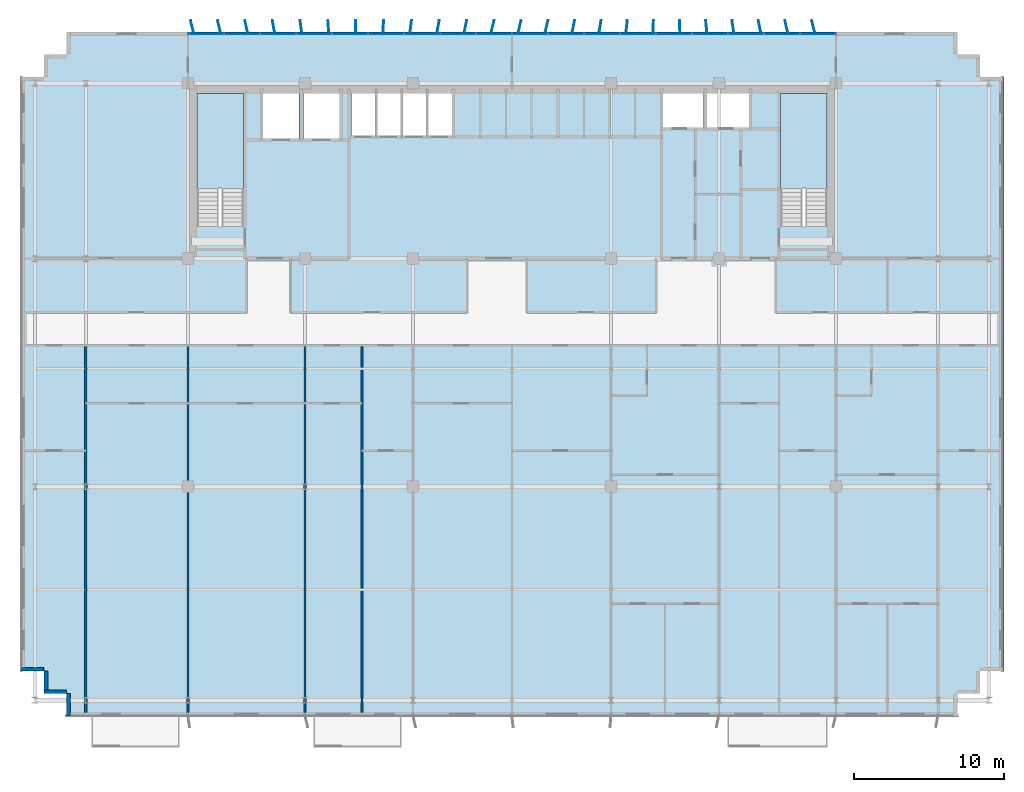
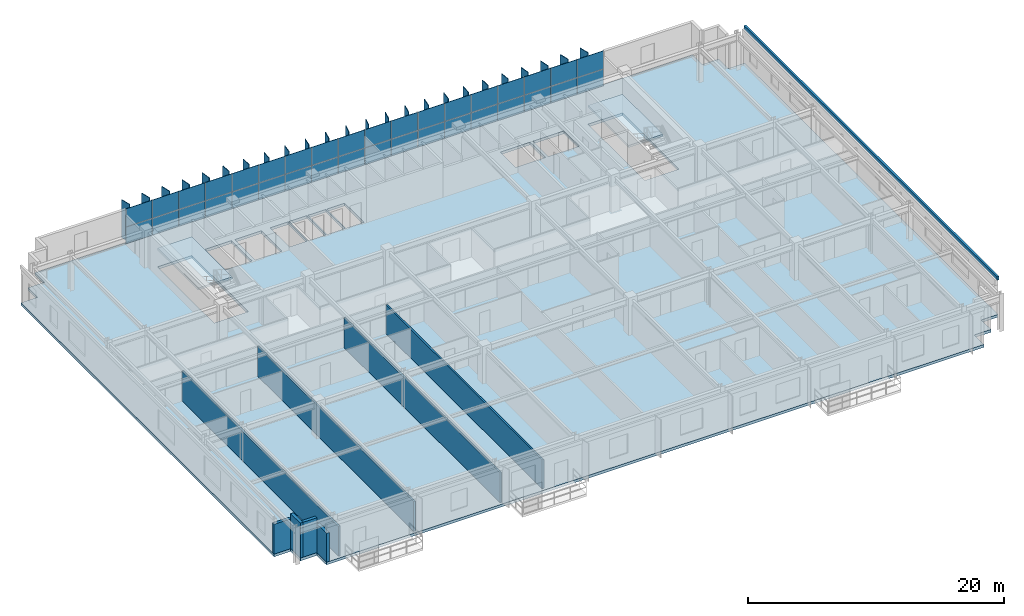
# One storey, part 13 of 21: 61 plates, 8 walls, 3 slabs, 3 elements without a shape of their own.
"""IFC4 building model written with IfcOpenShell, lengths in metres."""

import ifcopenshell
import ifcopenshell.guid

model = None  # the IFC model being written
_history = None  # IfcOwnerHistory: only IFC2X3 demands one
_inside = {}  # id of a spatial element -> (the spatial element, [elements in it])
_under = {}  # id of a project, library or spatial element -> (it, [spatial elements below it])
_declared = {}  # id of a project -> (the project, [libraries it declares])
_typed = {}  # id of a type object -> (the type object, [elements of that type])
_made_of = {}  # id of a material, layer set ... -> (it, [elements and type objects made of it])


def new_model(schema):
    """Start an empty IFC model of exactly this schema.

    Asked for "IFC4X3", IfcOpenShell would pick the latest addendum, in which some entities
    have other attributes; the version numbers below select the first issue.
    IFC2X3 requires an IfcOwnerHistory on every rooted entity: one is made here for all.
    """
    global model, _history
    if schema == "IFC4X3":
        model = ifcopenshell.file(schema_version=(4, 3, 0, 0))
    else:
        model = ifcopenshell.file(schema=schema)
    _inside.clear()
    _under.clear()
    _declared.clear()
    _typed.clear()
    _made_of.clear()
    _history = None
    if model.schema == "IFC2X3":
        org = make("IfcOrganization", Name="unknown")
        user = make(
            "IfcPersonAndOrganization",
            ThePerson=make("IfcPerson", FamilyName="unknown"),
            TheOrganization=org,
        )
        app = make(
            "IfcApplication",
            ApplicationDeveloper=org,
            Version="unknown",
            ApplicationFullName="unknown",
            ApplicationIdentifier="unknown",
        )
        _history = make(
            "IfcOwnerHistory",
            OwningUser=user,
            OwningApplication=app,
            ChangeAction="ADDED",
            CreationDate=0,
        )
    return model


def make(cls, **values):
    """One entity of the class cls with the attributes given. An attribute that is None is left unset."""
    return model.create_entity(
        cls, **{name: value for name, value in values.items() if value is not None}
    )


def rooted(cls, **values):
    """An entity with a GlobalId (a new one), such as an element, a storey or a relation."""
    return make(cls, GlobalId=ifcopenshell.guid.new(), OwnerHistory=_history, **values)


def si_unit(unit_type, name, prefix=None):
    """IfcSIUnit, for example si_unit("LENGTHUNIT", "METRE", prefix="MILLI")."""
    return make("IfcSIUnit", UnitType=unit_type, Prefix=prefix, Name=name)


def assignment(units):
    """IfcUnitAssignment: the units of a project."""
    return None if units is None else make("IfcUnitAssignment", Units=units)


def point(xyz):
    """IfcCartesianPoint."""
    return None if xyz is None else make("IfcCartesianPoint", Coordinates=xyz)


def direction(xyz):
    """IfcDirection."""
    return None if xyz is None else make("IfcDirection", DirectionRatios=xyz)


def frame(location, z_axis=None, x_axis=None):
    """IfcAxis2Placement3D, a coordinate frame: its origin and axes. An axis left out is left unset."""
    return make(
        "IfcAxis2Placement3D",
        Location=point(location),
        Axis=direction(z_axis),
        RefDirection=direction(x_axis),
    )


def frame_2d(location, x_axis=None):
    """IfcAxis2Placement2D, a coordinate frame in the plane: its origin and x axis."""
    return make(
        "IfcAxis2Placement2D", Location=point(location), RefDirection=direction(x_axis)
    )


def origin():
    """The frame at (0, 0, 0) with its axes left unset."""
    return frame((0.0, 0.0, 0.0))


def origin_2d():
    """The frame at (0, 0) in the plane with its x axis left unset."""
    return frame_2d((0.0, 0.0))


def place(relative_to, where):
    """IfcLocalPlacement: puts the frame where relative to a parent placement (None: the world)."""
    return make(
        "IfcLocalPlacement", PlacementRelTo=relative_to, RelativePlacement=where
    )


def context(
    kind, dimensions, precision=None, world=None, true_north=None, identifier=None
):
    """IfcGeometricRepresentationContext, for example the 3D "Model" context."""
    return make(
        "IfcGeometricRepresentationContext",
        ContextIdentifier=identifier,
        ContextType=kind,
        CoordinateSpaceDimension=dimensions,
        Precision=precision,
        WorldCoordinateSystem=world,
        TrueNorth=true_north,
    )


def subcontext(parent, identifier, kind, view, scale=None):
    """IfcGeometricRepresentationSubContext, for example "Body" below "Model"."""
    return make(
        "IfcGeometricRepresentationSubContext",
        ContextIdentifier=identifier,
        ContextType=kind,
        ParentContext=parent,
        TargetScale=scale,
        TargetView=view,
    )


def project(units=None, contexts=None):
    """IfcProject with its units and contexts."""
    return rooted(
        "IfcProject",
        Name="project",
        RepresentationContexts=contexts,
        UnitsInContext=assignment(units),
    )


def spatial(cls, under=None, at=None, **own):
    """A site, building, storey or space (cls), placed at a placement, below another one or the project."""
    s = rooted(cls, ObjectPlacement=at, **own)
    if under is not None:
        _under.setdefault(under.id(), (under, []))[1].append(s)
    return s


def polyline(points):
    """IfcPolyline through the points."""
    return make("IfcPolyline", Points=[point(p) for p in points])


def profile(cls, at=None, kind="AREA", **sizes):
    """A parametric profile (cls). Its sizes go by their IFC names, for example OverallWidth=200.0."""
    return make(cls, ProfileType=kind, Position=at, **sizes)


def rectangle(**sizes):
    """IfcRectangleProfileDef."""
    return profile("IfcRectangleProfileDef", **sizes)


def outline(outer, holes=None, kind="AREA"):
    """IfcArbitraryClosedProfileDef: a profile drawn as a closed curve; with holes, ...WithVoids."""
    if holes is None:
        return make("IfcArbitraryClosedProfileDef", ProfileType=kind, OuterCurve=outer)
    return make(
        "IfcArbitraryProfileDefWithVoids",
        ProfileType=kind,
        OuterCurve=outer,
        InnerCurves=holes,
    )


def extrude(swept, where, along, depth):
    """IfcExtrudedAreaSolid: the profile swept, set in the frame where, extruded along a direction by depth."""
    return make(
        "IfcExtrudedAreaSolid",
        SweptArea=swept,
        Position=where,
        ExtrudedDirection=direction(along),
        Depth=depth,
    )


def shape(context_of_items, identifier, shape_type, items):
    """IfcShapeRepresentation: the items that make up one representation, for example the "Body"."""
    return make(
        "IfcShapeRepresentation",
        ContextOfItems=context_of_items,
        RepresentationIdentifier=identifier,
        RepresentationType=shape_type,
        Items=items,
    )


def source(mapping_origin, context_of_items, identifier, shape_type, items):
    """IfcRepresentationMap: a shape defined once, which mapped items show again and again."""
    return make(
        "IfcRepresentationMap",
        MappingOrigin=mapping_origin,
        MappedRepresentation=shape(context_of_items, identifier, shape_type, items),
    )


def transform(
    local_origin,
    x_axis=None,
    y_axis=None,
    z_axis=None,
    scale=None,
    scale2=None,
    scale3=None,
    uniform=True,
):
    """IfcCartesianTransformationOperator3D, or its non-uniform kind. x_axis, y_axis, z_axis: its Axis1, 2, 3."""
    if uniform:
        return make(
            "IfcCartesianTransformationOperator3D",
            Axis1=direction(x_axis),
            Axis2=direction(y_axis),
            LocalOrigin=point(local_origin),
            Scale=scale,
            Axis3=direction(z_axis),
        )
    return make(
        "IfcCartesianTransformationOperator3DnonUniform",
        Axis1=direction(x_axis),
        Axis2=direction(y_axis),
        LocalOrigin=point(local_origin),
        Scale=scale,
        Axis3=direction(z_axis),
        Scale2=scale2,
        Scale3=scale3,
    )


def mapped(mapping_source, mapping_target):
    """IfcMappedItem: shows the shape of a source again, moved by a transform."""
    return make(
        "IfcMappedItem", MappingSource=mapping_source, MappingTarget=mapping_target
    )


def material(Name=None, Category=None):
    """IfcMaterial."""
    return make("IfcMaterial", Name=Name, Category=Category)


def layer(
    of_material, thickness, ventilated=None, Name=None, Category=None, Priority=None
):
    """IfcMaterialLayer: one layer of a wall or slab, of a material (None: an air gap)."""
    return make(
        "IfcMaterialLayer",
        Material=of_material,
        LayerThickness=thickness,
        IsVentilated=ventilated,
        Name=Name,
        Category=Category,
        Priority=Priority,
    )


def layer_set(layers, Name=None):
    """IfcMaterialLayerSet."""
    return make("IfcMaterialLayerSet", MaterialLayers=layers, LayerSetName=Name)


def made_of(thing, what):
    """Note that an element or type object is made of a material, layer set ...; save() writes the relation."""
    if what is not None:
        _made_of.setdefault(what.id(), (what, []))[1].append(thing)
    return thing


def type_object(cls, material=None, **own):
    """A type object (cls), such as IfcWallType, which elements share."""
    return made_of(rooted(cls, **own), material)


def element(
    cls,
    number,
    at=None,
    inside=None,
    cuts=None,
    type_object=None,
    material=None,
    context=None,
    identifier="Body",
    shape_type=None,
    held_by="IfcProductDefinitionShape",
    body=None,
    shapes=None,
    **own,
):
    """One element of the class cls, such as IfcWall. Its Tag is "e" and its number.

    at: its placement. inside: the storey or other place that contains it. cuts: it is an
    opening in that element (IfcRelVoidsElement). A single representation is given by context,
    identifier, shape_type and body (its items); several are given by shapes. held_by: the class
    of the entity that holds the representations. save() writes the other relations.
    """
    e = rooted(cls, Tag="e%d" % number, ObjectPlacement=at, **own)
    if body is not None:
        shapes = [shape(context, identifier, shape_type, body)]
    if shapes is not None:
        e.Representation = make(held_by, Representations=shapes)
    if inside is not None:
        _inside.setdefault(inside.id(), (inside, []))[1].append(e)
    if cuts is not None:
        rooted(
            "IfcRelVoidsElement", RelatingBuildingElement=cuts, RelatedOpeningElement=e
        )
    if type_object is not None:
        _typed.setdefault(type_object.id(), (type_object, []))[1].append(e)
    return made_of(e, material)


def aggregate(whole, parts):
    """IfcRelAggregates: a whole, such as a stair, and the parts it consists of."""
    return rooted("IfcRelAggregates", RelatingObject=whole, RelatedObjects=parts)


def save(model, path):
    """Write the relations noted so far, then the file.

    IfcRelAggregates (storeys below a building ...), IfcRelContainedInSpatialStructure (elements
    in a storey), IfcRelDefinesByType, IfcRelAssociatesMaterial and IfcRelDeclares: one each for
    every whole, place, type object, material and project.
    """
    for whole, parts in _under.values():
        aggregate(whole, parts)
    for where, things in _inside.values():
        rooted(
            "IfcRelContainedInSpatialStructure",
            RelatedElements=things,
            RelatingStructure=where,
        )
    for kind, things in _typed.values():
        rooted("IfcRelDefinesByType", RelatedObjects=things, RelatingType=kind)
    for what, things in _made_of.values():
        rooted("IfcRelAssociatesMaterial", RelatedObjects=things, RelatingMaterial=what)
    for by, libraries in _declared.values():
        rooted("IfcRelDeclares", RelatingContext=by, RelatedDefinitions=libraries)
    model.write(path)


model = new_model("IFC4")

# Units and contexts
model_context = context("Model", 3, precision=1e-05, world=origin(), true_north=direction((0.0, 1.0)))
body_context = subcontext(model_context, "Body", "Model", "MODEL_VIEW")
ifc_project = project(units=[si_unit("LENGTHUNIT", "METRE"), si_unit("AREAUNIT", "SQUARE_METRE"), si_unit("VOLUMEUNIT", "CUBIC_METRE"), si_unit("PLANEANGLEUNIT", "RADIAN"), si_unit("MASSUNIT", "GRAM", prefix="KILO")], contexts=[model_context])

# Site, building, storey
site_placement = place(None, origin())
site = spatial("IfcSite", under=ifc_project, at=site_placement, CompositionType="ELEMENT")
building_placement = place(site_placement, origin())
building = spatial("IfcBuilding", under=site, at=building_placement, Name="Trelvane Seafront Commons", CompositionType="ELEMENT")
storey_placement = place(building_placement, frame((0.0, 0.0, 103.300048828125)))
storey = spatial("IfcBuildingStorey", under=building, at=storey_placement, Name="L26", CompositionType="ELEMENT", Elevation=103.300048828125)

# Stair, slab
ifc_material_1 = material(Name="Concrete C40/50", Category="concrete")
stair_type_1 = type_object("IfcStairType", Name="ARCH-STR-ST-1-R20-180", PredefinedType="HALF_TURN_STAIR", material=ifc_material_1)
stair_1_placement = place(storey_placement, origin())
stair_1 = element("IfcStair", 1, at=stair_1_placement, inside=storey, type_object=stair_type_1, Name="L26 West Protected Firefighting Exit Stair ST-1", PredefinedType="HALF_TURN_STAIR")
ifc_layer_1 = layer(ifc_material_1, 0.199951171875, Name="ARCH-LND-200")
ifc_layer_set_1 = layer_set([ifc_layer_1], Name="Concrete C40/50")
slab_type_1 = type_object("IfcSlabType", Name="ARCH-LND-200", PredefinedType="LANDING", material=ifc_layer_set_1)
slab_1_placement = place(storey_placement, frame((0.0, 0.0, 1.599853515625)))
slab_1 = element("IfcSlab", 2, at=slab_1_placement, type_object=slab_type_1, Name="ST-1 landing 1", PredefinedType="LANDING", context=body_context, shape_type="SweptSolid", body=[
    extrude(outline(polyline([(19.300048828125, 38.070068359375), (19.300048828125, 44.39990234375), (16.199951171875, 44.39990234375), (16.199951171875, 38.070068359375), (19.300048828125, 38.070068359375)])), origin(), (0.0, 0.0, 1.0), 0.2001953125),
])
aggregate(stair_1, [slab_1])

stair_type_2 = type_object("IfcStairType", Name="ARCH-STR-ST-2-R20-180", PredefinedType="HALF_TURN_STAIR", material=ifc_material_1)
stair_2_placement = place(storey_placement, origin())
stair_2 = element("IfcStair", 3, at=stair_2_placement, inside=storey, type_object=stair_type_2, Name="L26 East Protected Firefighting Exit Stair ST-2", PredefinedType="HALF_TURN_STAIR")
slab_2_placement = place(storey_placement, frame((0.0, 0.0, 1.599853515625)))
slab_2 = element("IfcSlab", 4, at=slab_2_placement, type_object=slab_type_1, Name="ST-2 landing 1", PredefinedType="LANDING", context=body_context, shape_type="SweptSolid", body=[
    extrude(outline(polyline([(58.199951171875, 38.070068359375), (58.199951171875, 44.39990234375), (55.10009765625, 44.39990234375), (55.10009765625, 38.070068359375), (58.199951171875, 38.070068359375)])), origin(), (0.0, 0.0, 1.0), 0.2001953125),
])
aggregate(stair_2, [slab_2])

# Slab
ifc_material_2 = material(Name="Concrete C50/60", Category="concrete")
ifc_layer_2 = layer(ifc_material_2, 0.260009765625, Name="STR-SLB-Z1-260")
ifc_layer_set_2 = layer_set([ifc_layer_2], Name="Concrete C50/60")
slab_type_2 = type_object("IfcSlabType", Name="STR-SLB-Z1-260", PredefinedType="FLOOR", material=ifc_layer_set_2)
slab_3_placement = place(storey_placement, frame((0.0, 0.0, -0.260009765625)))
element("IfcSlab", 5, at=slab_3_placement, inside=storey, type_object=slab_type_2, Name="L26 Structural Floor Slab", PredefinedType="FLOOR", context=body_context, shape_type="SweptSolid", body=[
    extrude(outline(polyline([(7.5, 2.89990234375), (66.89990234375, 2.89990234375), (66.89990234375, 4.39990234375), (68.39990234375, 4.39990234375), (68.39990234375, 5.89990234375), (69.89990234375, 5.89990234375), (69.89990234375, 45.5), (68.39990234375, 45.5), (68.39990234375, 47.0), (66.89990234375, 47.0), (66.89990234375, 48.5), (7.5, 48.5), (7.5, 47.0), (6.0, 47.0), (6.0, 45.5), (4.5, 45.5), (4.5, 5.89990234375), (6.0, 5.89990234375), (6.0, 4.39990234375), (7.5, 4.39990234375), (7.5, 2.89990234375)]), holes=[polyline([(19.300048828125, 35.550048828125), (16.199951171875, 35.550048828125), (16.199951171875, 44.39990234375), (19.300048828125, 44.39990234375), (19.300048828125, 35.550048828125)]), polyline([(58.199951171875, 35.550048828125), (55.10009765625, 35.550048828125), (55.10009765625, 44.39990234375), (58.199951171875, 44.39990234375), (58.199951171875, 35.550048828125)]), polyline([(23.0, 41.39990234375), (20.60009765625, 41.39990234375), (20.60009765625, 44.60009765625), (23.0, 44.60009765625), (23.0, 41.39990234375)]), polyline([(23.300048828125, 41.39990234375), (23.300048828125, 44.60009765625), (25.699951171875, 44.60009765625), (25.699951171875, 41.39990234375), (23.300048828125, 41.39990234375)]), polyline([(26.5, 41.60009765625), (26.5, 44.60009765625), (28.1201171875, 44.60009765625), (28.1201171875, 41.60009765625), (26.5, 41.60009765625)]), polyline([(29.820068359375, 41.60009765625), (28.199951171875, 41.60009765625), (28.199951171875, 44.60009765625), (29.820068359375, 44.60009765625), (29.820068359375, 41.60009765625)]), polyline([(31.52001953125, 41.60009765625), (29.89990234375, 41.60009765625), (29.89990234375, 44.60009765625), (31.52001953125, 44.60009765625), (31.52001953125, 41.60009765625)]), polyline([(33.219970703125, 41.60009765625), (31.60009765625, 41.60009765625), (31.60009765625, 44.60009765625), (33.219970703125, 44.60009765625), (33.219970703125, 41.60009765625)]), polyline([(47.25, 42.14990234375), (47.25, 44.550048828125), (49.949951171875, 44.550048828125), (49.949951171875, 42.14990234375), (47.25, 42.14990234375)]), polyline([(50.199951171875, 42.14990234375), (50.199951171875, 44.550048828125), (53.0, 44.550048828125), (53.0, 42.14990234375), (50.199951171875, 42.14990234375)])]), origin(), (0.0, 0.0, 1.0), 0.260009765625),
])

# Plates
ifc_material_3 = material(Name="Anodised pale-silver aluminium", Category="aluminium")
ifc_layer_3 = layer(ifc_material_3, 0.06005859375, Name="ARCH-PLATE-FIN900")
ifc_layer_set_3 = layer_set([ifc_layer_3], Name="Anodised pale-silver aluminium")
plate_type_1 = type_object("IfcPlateType", Name="ARCH-PLATE-FIN900", PredefinedType="USERDEFINED", material=ifc_layer_set_3)
shared_shape_1 = source(origin(), body_context, "Body", "SweptSolid", [
    extrude(rectangle(XDim=0.89990234375, YDim=0.06005859375, at=origin_2d()), origin(), (0.0, 0.0, 1.0), 3.639892578125),
])
for number, where, z_axis, x_axis, name in (
    (6, (15.8916015625, 48.836669921875, -0.02001953125), (0.0, 0.0, 1.0), (-0.240888732524, 0.970552738672, 0.0), "FIN-L26-00650"),
    (7, (17.69287109375, 48.8369140625, -0.02001953125), (0.0, 0.0, 1.0), (-0.238114783007, 0.971237020564, 0.0), "FIN-L26-00651"),
    (8, (19.501953125, 48.839111328125, -0.02001953125), (0.0, 0.0, 1.0), (-0.217882629323, 0.975974979105, 0.0), "FIN-L26-00652"),
    (9, (21.318359375, 48.842529296875, -0.02001953125), (0.0, 0.0, 1.0), (-0.181564486622, 0.983379040451, 0.0), "FIN-L26-00653"),
    (10, (23.140869140625, 48.84619140625, -0.02001953125), (0.0, 0.0, 1.0), (-0.131552247975, 0.991309238357, 0.0), "FIN-L26-00654"),
    (11, (24.9677734375, 48.848876953125, -0.02001953125), (0.0, 0.0, 1.0), (-0.071554892679, 0.997436663319, 0.0), "FIN-L26-00655"),
    (12, (26.79736328125, 48.85009765625, -0.02001953125), (0.0, 0.0, 1.0), (-0.005888706862, 0.999982661415, 0.0), "FIN-L26-00656"),
    (13, (28.627197265625, 48.84912109375, -0.02001953125), (0.0, 0.0, 1.0), (0.060219291405, 0.99818517167, 0.0), "FIN-L26-00657"),
    (14, (30.45458984375, 48.8466796875, -0.02001953125), (0.0, 0.0, 1.0), (0.121559252213, 0.992584176884, 0.0), "FIN-L26-00658"),
    (15, (32.278076171875, 48.843017578125, -0.02001953125), (0.0, 0.0, 1.0), (0.173670522201, 0.984803812807, 0.0), "FIN-L26-00659"),
    (16, (34.095703125, 48.839599609375, -0.02001953125), (0.0, 0.0, 1.0), (0.212563118989, 0.977147338146, 0.0), "FIN-L26-00660"),
    (17, (35.906005859375, 48.83740234375, -0.02001953125), (0.0, 0.0, 1.0), (0.235784994167, 0.971805246192, 0.0), "FIN-L26-00661"),
    (18, (37.708740234375, 48.836669921875, -0.02001953125), (0.0, 0.0, 1.0), (0.24167294527, 0.970357762645, 0.0), "FIN-L26-00662"),
    (19, (41.290771484375, 48.8408203125, -0.02001953125), (0.0, 0.0, 1.0), (0.201561736417, 0.979475812061, 0.0), "FIN-L26-00664"),
    (20, (43.0712890625, 48.84423828125, -0.02001953125), (0.0, 0.0, 1.0), (0.158108089548, 0.987421810585, 0.0), "FIN-L26-00665"),
    (21, (44.84619140625, 48.84765625, -0.02001953125), (0.0, 0.0, 1.0), (0.102551218099, 0.994727725393, 0.0), "FIN-L26-00666"),
    (22, (46.61767578125, 48.849609375, -0.02001953125), (0.0, 0.0, 1.0), (0.039111576716, 0.999234849556, 0.0), "FIN-L26-00667"),
    (23, (48.3876953125, 48.849853515625, -0.02001953125), (0.0, 0.0, 1.0), (-0.027443601785, 0.999623353429, 0.0), "FIN-L26-00668"),
    (24, (50.15869140625, 48.84814453125, -0.02001953125), (0.0, 0.0, 1.0), (-0.091777958324, 0.99577949686, 0.0), "FIN-L26-00669"),
    (25, (51.93310546875, 48.844970703125, -0.02001953125), (0.0, 0.0, 1.0), (-0.149008982124, 0.988835842416, 0.0), "FIN-L26-00670"),
    (26, (53.71240234375, 48.84130859375, -0.02001953125), (0.0, 0.0, 1.0), (-0.194898597447, 0.980823397311, 0.0), "FIN-L26-00671"),
    (27, (55.498291015625, 48.83837890625, -0.02001953125), (0.0, 0.0, 1.0), (-0.226214408103, 0.974077533653, 0.0), "FIN-L26-00672"),
    (28, (57.29150390625, 48.836669921875, -0.02001953125), (0.0, 0.0, 1.0), (-0.240888732524, 0.970552738672, 0.0), "FIN-L26-00673"),
):
    element("IfcPlate", number, at=place(storey_placement, frame(where, z_axis=z_axis, x_axis=x_axis)), inside=storey, type_object=plate_type_1, Name=name, ObjectType="FIN", PredefinedType="USERDEFINED", context=body_context, shape_type="MappedRepresentation", body=[
        mapped(shared_shape_1, transform((0.0, 0.0, 0.0), x_axis=(1.0, 0.0, 0.0), y_axis=(0.0, 1.0, 0.0), z_axis=(0.0, 0.0, 1.0), scale=1.0)),
    ])
shared_shape_2 = source(origin(), body_context, "Body", "SweptSolid", [
    extrude(rectangle(XDim=0.900146484375, YDim=0.06005859375, at=origin_2d()), origin(), (0.0, 0.0, 1.0), 3.639892578125),
])
plate_1_placement = place(storey_placement, frame((39.503662109375, 48.837890625, -0.02001953125), z_axis=(0.0, 0.0, 1.0), x_axis=(0.230098993902, 0.973167227667, 0.0)))
element("IfcPlate", 29, at=plate_1_placement, inside=storey, type_object=plate_type_1, Name="FIN-L26-00663", ObjectType="FIN", PredefinedType="USERDEFINED", context=body_context, shape_type="MappedRepresentation", body=[
    mapped(shared_shape_2, transform((0.0, 0.0, 0.0), x_axis=(1.0, 0.0, 0.0), y_axis=(0.0, 1.0, 0.0), z_axis=(0.0, 0.0, 1.0), scale=1.0)),
])
ifc_layer_4 = layer(ifc_material_3, 0.179931640625, Name="ARCH-PLATE-AERO")
ifc_layer_set_4 = layer_set([ifc_layer_4], Name="Anodised pale-silver aluminium")
plate_type_2 = type_object("IfcPlateType", Name="ARCH-PLATE-AERO", PredefinedType="SHEET", material=ifc_layer_set_4)
shared_shape_3 = source(origin(), body_context, "Body", "SweptSolid", [
    extrude(rectangle(XDim=39.60009765625, YDim=0.179931640625, at=origin_2d()), origin(), (0.0, 0.0, 1.0), 0.340087890625),
])
plate_2_placement = place(storey_placement, frame((69.89990234375, 25.699951171875, 3.27978515625), z_axis=(0.0, 0.0, 1.0), x_axis=(0.0, -1.0, 0.0)))
element("IfcPlate", 30, at=plate_2_placement, inside=storey, type_object=plate_type_2, Name="AER-L26-00094", PredefinedType="SHEET", context=body_context, shape_type="MappedRepresentation", body=[
    mapped(shared_shape_3, transform((0.0, 0.0, 0.0), x_axis=(1.0, 0.0, 0.0), y_axis=(0.0, 1.0, 0.0), z_axis=(0.0, 0.0, 1.0), scale=1.0)),
])

# Curtain wall, plates
curtain_wall_type = type_object("IfcCurtainWallType", Name="ARCH-CW4-SKYLOBBY", PredefinedType="NOTDEFINED", material=ifc_material_3)
curtain_wall_placement = place(storey_placement, origin())
curtain_wall = element("IfcCurtainWall", 31, at=curtain_wall_placement, inside=storey, type_object=curtain_wall_type, Name="CW-L26-0051", PredefinedType="NOTDEFINED")
ifc_material_4 = material(Name="Low-E coastal double glazing", Category="glass")
ifc_layer_5 = layer(ifc_material_4, 0.033935546875, Name="ARCH-CW-GLAZ-34")
ifc_layer_set_5 = layer_set([ifc_layer_5], Name="Low-E coastal double glazing")
plate_type_3 = type_object("IfcPlateType", Name="ARCH-CW-GLAZ-34", PredefinedType="CURTAIN_PANEL", material=ifc_layer_set_5)
shared_shape_4 = source(origin(), body_context, "Body", "SweptSolid", [
    extrude(rectangle(XDim=2.3759765625, YDim=0.0400390625, at=origin_2d()), origin(), (0.0, 0.0, 1.0), 1.5849609375),
])
plate_3_placement = place(storey_placement, frame((16.800048828125, 48.3701171875, 0.0), z_axis=(0.0, 0.0, 1.0), x_axis=(1.0, 0.0, 0.0)))
plate_3 = element("IfcPlate", 32, at=plate_3_placement, type_object=plate_type_3, Name="CW-L26-0051-P00-1", PredefinedType="CURTAIN_PANEL", context=body_context, shape_type="MappedRepresentation", body=[
    mapped(shared_shape_4, transform((0.0, 0.0, 0.0), x_axis=(1.0, 0.0, 0.0), y_axis=(0.0, 1.0, 0.0), z_axis=(0.0, 0.0, 1.0), scale=1.0)),
])
plate_4_placement = place(storey_placement, frame((19.199951171875, 48.3701171875, 0.0), z_axis=(0.0, 0.0, 1.0), x_axis=(1.0, 0.0, 0.0)))
plate_4 = element("IfcPlate", 33, at=plate_4_placement, type_object=plate_type_3, Name="CW-L26-0051-P01-1", PredefinedType="CURTAIN_PANEL", context=body_context, shape_type="MappedRepresentation", body=[
    mapped(shared_shape_4, transform((0.0, 0.0, 0.0), x_axis=(1.0, 0.0, 0.0), y_axis=(0.0, 1.0, 0.0), z_axis=(0.0, 0.0, 1.0), scale=1.0)),
])
plate_5_placement = place(storey_placement, frame((21.60009765625, 48.3701171875, 0.0), z_axis=(0.0, 0.0, 1.0), x_axis=(1.0, 0.0, 0.0)))
plate_5 = element("IfcPlate", 34, at=plate_5_placement, type_object=plate_type_3, Name="CW-L26-0051-P02-1", PredefinedType="CURTAIN_PANEL", context=body_context, shape_type="MappedRepresentation", body=[
    mapped(shared_shape_4, transform((0.0, 0.0, 0.0), x_axis=(1.0, 0.0, 0.0), y_axis=(0.0, 1.0, 0.0), z_axis=(0.0, 0.0, 1.0), scale=1.0)),
])
plate_6_placement = place(storey_placement, frame((24.0, 48.3701171875, 0.0), z_axis=(0.0, 0.0, 1.0), x_axis=(1.0, 0.0, 0.0)))
plate_6 = element("IfcPlate", 35, at=plate_6_placement, type_object=plate_type_3, Name="CW-L26-0051-P03-1", PredefinedType="CURTAIN_PANEL", context=body_context, shape_type="MappedRepresentation", body=[
    mapped(shared_shape_4, transform((0.0, 0.0, 0.0), x_axis=(1.0, 0.0, 0.0), y_axis=(0.0, 1.0, 0.0), z_axis=(0.0, 0.0, 1.0), scale=1.0)),
])
plate_7_placement = place(storey_placement, frame((26.39990234375, 48.3701171875, 0.0), z_axis=(0.0, 0.0, 1.0), x_axis=(1.0, 0.0, 0.0)))
plate_7 = element("IfcPlate", 36, at=plate_7_placement, type_object=plate_type_3, Name="CW-L26-0051-P04-1", PredefinedType="CURTAIN_PANEL", context=body_context, shape_type="MappedRepresentation", body=[
    mapped(shared_shape_4, transform((0.0, 0.0, 0.0), x_axis=(1.0, 0.0, 0.0), y_axis=(0.0, 1.0, 0.0), z_axis=(0.0, 0.0, 1.0), scale=1.0)),
])
plate_8_placement = place(storey_placement, frame((28.800048828125, 48.3701171875, 0.0), z_axis=(0.0, 0.0, 1.0), x_axis=(1.0, 0.0, 0.0)))
plate_8 = element("IfcPlate", 37, at=plate_8_placement, type_object=plate_type_3, Name="CW-L26-0051-P05-1", PredefinedType="CURTAIN_PANEL", context=body_context, shape_type="MappedRepresentation", body=[
    mapped(shared_shape_4, transform((0.0, 0.0, 0.0), x_axis=(1.0, 0.0, 0.0), y_axis=(0.0, 1.0, 0.0), z_axis=(0.0, 0.0, 1.0), scale=1.0)),
])
plate_9_placement = place(storey_placement, frame((31.199951171875, 48.3701171875, 0.0), z_axis=(0.0, 0.0, 1.0), x_axis=(1.0, 0.0, 0.0)))
plate_9 = element("IfcPlate", 38, at=plate_9_placement, type_object=plate_type_3, Name="CW-L26-0051-P06-1", PredefinedType="CURTAIN_PANEL", context=body_context, shape_type="MappedRepresentation", body=[
    mapped(shared_shape_4, transform((0.0, 0.0, 0.0), x_axis=(1.0, 0.0, 0.0), y_axis=(0.0, 1.0, 0.0), z_axis=(0.0, 0.0, 1.0), scale=1.0)),
])
plate_10_placement = place(storey_placement, frame((33.60009765625, 48.3701171875, 0.0), z_axis=(0.0, 0.0, 1.0), x_axis=(1.0, 0.0, 0.0)))
plate_10 = element("IfcPlate", 39, at=plate_10_placement, type_object=plate_type_3, Name="CW-L26-0051-P07-1", PredefinedType="CURTAIN_PANEL", context=body_context, shape_type="MappedRepresentation", body=[
    mapped(shared_shape_4, transform((0.0, 0.0, 0.0), x_axis=(1.0, 0.0, 0.0), y_axis=(0.0, 1.0, 0.0), z_axis=(0.0, 0.0, 1.0), scale=1.0)),
])
plate_11_placement = place(storey_placement, frame((36.0, 48.3701171875, 0.0), z_axis=(0.0, 0.0, 1.0), x_axis=(1.0, 0.0, 0.0)))
plate_11 = element("IfcPlate", 40, at=plate_11_placement, type_object=plate_type_3, Name="CW-L26-0051-P08-1", PredefinedType="CURTAIN_PANEL", context=body_context, shape_type="MappedRepresentation", body=[
    mapped(shared_shape_4, transform((0.0, 0.0, 0.0), x_axis=(1.0, 0.0, 0.0), y_axis=(0.0, 1.0, 0.0), z_axis=(0.0, 0.0, 1.0), scale=1.0)),
])
plate_12_placement = place(storey_placement, frame((38.39990234375, 48.3701171875, 0.0), z_axis=(0.0, 0.0, 1.0), x_axis=(1.0, 0.0, 0.0)))
plate_12 = element("IfcPlate", 41, at=plate_12_placement, type_object=plate_type_3, Name="CW-L26-0051-P09-1", PredefinedType="CURTAIN_PANEL", context=body_context, shape_type="MappedRepresentation", body=[
    mapped(shared_shape_4, transform((0.0, 0.0, 0.0), x_axis=(1.0, 0.0, 0.0), y_axis=(0.0, 1.0, 0.0), z_axis=(0.0, 0.0, 1.0), scale=1.0)),
])
plate_13_placement = place(storey_placement, frame((40.800048828125, 48.3701171875, 0.0), z_axis=(0.0, 0.0, 1.0), x_axis=(1.0, 0.0, 0.0)))
plate_13 = element("IfcPlate", 42, at=plate_13_placement, type_object=plate_type_3, Name="CW-L26-0051-P10-1", PredefinedType="CURTAIN_PANEL", context=body_context, shape_type="MappedRepresentation", body=[
    mapped(shared_shape_4, transform((0.0, 0.0, 0.0), x_axis=(1.0, 0.0, 0.0), y_axis=(0.0, 1.0, 0.0), z_axis=(0.0, 0.0, 1.0), scale=1.0)),
])
plate_14_placement = place(storey_placement, frame((43.199951171875, 48.3701171875, 0.0), z_axis=(0.0, 0.0, 1.0), x_axis=(1.0, 0.0, 0.0)))
plate_14 = element("IfcPlate", 43, at=plate_14_placement, type_object=plate_type_3, Name="CW-L26-0051-P11-1", PredefinedType="CURTAIN_PANEL", context=body_context, shape_type="MappedRepresentation", body=[
    mapped(shared_shape_4, transform((0.0, 0.0, 0.0), x_axis=(1.0, 0.0, 0.0), y_axis=(0.0, 1.0, 0.0), z_axis=(0.0, 0.0, 1.0), scale=1.0)),
])
plate_15_placement = place(storey_placement, frame((45.60009765625, 48.3701171875, 0.0), z_axis=(0.0, 0.0, 1.0), x_axis=(1.0, 0.0, 0.0)))
plate_15 = element("IfcPlate", 44, at=plate_15_placement, type_object=plate_type_3, Name="CW-L26-0051-P12-1", PredefinedType="CURTAIN_PANEL", context=body_context, shape_type="MappedRepresentation", body=[
    mapped(shared_shape_4, transform((0.0, 0.0, 0.0), x_axis=(1.0, 0.0, 0.0), y_axis=(0.0, 1.0, 0.0), z_axis=(0.0, 0.0, 1.0), scale=1.0)),
])
plate_16_placement = place(storey_placement, frame((48.0, 48.3701171875, 0.0), z_axis=(0.0, 0.0, 1.0), x_axis=(1.0, 0.0, 0.0)))
plate_16 = element("IfcPlate", 45, at=plate_16_placement, type_object=plate_type_3, Name="CW-L26-0051-P13-1", PredefinedType="CURTAIN_PANEL", context=body_context, shape_type="MappedRepresentation", body=[
    mapped(shared_shape_4, transform((0.0, 0.0, 0.0), x_axis=(1.0, 0.0, 0.0), y_axis=(0.0, 1.0, 0.0), z_axis=(0.0, 0.0, 1.0), scale=1.0)),
])
plate_17_placement = place(storey_placement, frame((50.39990234375, 48.3701171875, 0.0), z_axis=(0.0, 0.0, 1.0), x_axis=(1.0, 0.0, 0.0)))
plate_17 = element("IfcPlate", 46, at=plate_17_placement, type_object=plate_type_3, Name="CW-L26-0051-P14-1", PredefinedType="CURTAIN_PANEL", context=body_context, shape_type="MappedRepresentation", body=[
    mapped(shared_shape_4, transform((0.0, 0.0, 0.0), x_axis=(1.0, 0.0, 0.0), y_axis=(0.0, 1.0, 0.0), z_axis=(0.0, 0.0, 1.0), scale=1.0)),
])
plate_18_placement = place(storey_placement, frame((52.800048828125, 48.3701171875, 0.0), z_axis=(0.0, 0.0, 1.0), x_axis=(1.0, 0.0, 0.0)))
plate_18 = element("IfcPlate", 47, at=plate_18_placement, type_object=plate_type_3, Name="CW-L26-0051-P15-1", PredefinedType="CURTAIN_PANEL", context=body_context, shape_type="MappedRepresentation", body=[
    mapped(shared_shape_4, transform((0.0, 0.0, 0.0), x_axis=(1.0, 0.0, 0.0), y_axis=(0.0, 1.0, 0.0), z_axis=(0.0, 0.0, 1.0), scale=1.0)),
])
plate_19_placement = place(storey_placement, frame((55.199951171875, 48.3701171875, 0.0), z_axis=(0.0, 0.0, 1.0), x_axis=(1.0, 0.0, 0.0)))
plate_19 = element("IfcPlate", 48, at=plate_19_placement, type_object=plate_type_3, Name="CW-L26-0051-P16-1", PredefinedType="CURTAIN_PANEL", context=body_context, shape_type="MappedRepresentation", body=[
    mapped(shared_shape_4, transform((0.0, 0.0, 0.0), x_axis=(1.0, 0.0, 0.0), y_axis=(0.0, 1.0, 0.0), z_axis=(0.0, 0.0, 1.0), scale=1.0)),
])
plate_20_placement = place(storey_placement, frame((57.60009765625, 48.3701171875, 0.0), z_axis=(0.0, 0.0, 1.0), x_axis=(1.0, 0.0, 0.0)))
plate_20 = element("IfcPlate", 49, at=plate_20_placement, type_object=plate_type_3, Name="CW-L26-0051-P17-1", PredefinedType="CURTAIN_PANEL", context=body_context, shape_type="MappedRepresentation", body=[
    mapped(shared_shape_4, transform((0.0, 0.0, 0.0), x_axis=(1.0, 0.0, 0.0), y_axis=(0.0, 1.0, 0.0), z_axis=(0.0, 0.0, 1.0), scale=1.0)),
])
shared_shape_5 = source(origin(), body_context, "Body", "SweptSolid", [
    extrude(rectangle(XDim=2.3759765625, YDim=0.0400390625, at=origin_2d()), origin(), (0.0, 0.0, 1.0), 1.718994140625),
])
plate_21_placement = place(storey_placement, frame((16.800048828125, 48.3701171875, 1.62109375), z_axis=(0.0, 0.0, 1.0), x_axis=(1.0, 0.0, 0.0)))
plate_21 = element("IfcPlate", 50, at=plate_21_placement, type_object=plate_type_3, Name="CW-L26-0051-P00-2", PredefinedType="CURTAIN_PANEL", context=body_context, shape_type="MappedRepresentation", body=[
    mapped(shared_shape_5, transform((0.0, 0.0, 0.0), x_axis=(1.0, 0.0, 0.0), y_axis=(0.0, 1.0, 0.0), z_axis=(0.0, 0.0, 1.0), scale=1.0)),
])
plate_22_placement = place(storey_placement, frame((19.199951171875, 48.3701171875, 1.62109375), z_axis=(0.0, 0.0, 1.0), x_axis=(1.0, 0.0, 0.0)))
plate_22 = element("IfcPlate", 51, at=plate_22_placement, type_object=plate_type_3, Name="CW-L26-0051-P01-2", PredefinedType="CURTAIN_PANEL", context=body_context, shape_type="MappedRepresentation", body=[
    mapped(shared_shape_5, transform((0.0, 0.0, 0.0), x_axis=(1.0, 0.0, 0.0), y_axis=(0.0, 1.0, 0.0), z_axis=(0.0, 0.0, 1.0), scale=1.0)),
])
plate_23_placement = place(storey_placement, frame((21.60009765625, 48.3701171875, 1.62109375), z_axis=(0.0, 0.0, 1.0), x_axis=(1.0, 0.0, 0.0)))
plate_23 = element("IfcPlate", 52, at=plate_23_placement, type_object=plate_type_3, Name="CW-L26-0051-P02-2", PredefinedType="CURTAIN_PANEL", context=body_context, shape_type="MappedRepresentation", body=[
    mapped(shared_shape_5, transform((0.0, 0.0, 0.0), x_axis=(1.0, 0.0, 0.0), y_axis=(0.0, 1.0, 0.0), z_axis=(0.0, 0.0, 1.0), scale=1.0)),
])
plate_24_placement = place(storey_placement, frame((24.0, 48.3701171875, 1.62109375), z_axis=(0.0, 0.0, 1.0), x_axis=(1.0, 0.0, 0.0)))
plate_24 = element("IfcPlate", 53, at=plate_24_placement, type_object=plate_type_3, Name="CW-L26-0051-P03-2", PredefinedType="CURTAIN_PANEL", context=body_context, shape_type="MappedRepresentation", body=[
    mapped(shared_shape_5, transform((0.0, 0.0, 0.0), x_axis=(1.0, 0.0, 0.0), y_axis=(0.0, 1.0, 0.0), z_axis=(0.0, 0.0, 1.0), scale=1.0)),
])
plate_25_placement = place(storey_placement, frame((26.39990234375, 48.3701171875, 1.62109375), z_axis=(0.0, 0.0, 1.0), x_axis=(1.0, 0.0, 0.0)))
plate_25 = element("IfcPlate", 54, at=plate_25_placement, type_object=plate_type_3, Name="CW-L26-0051-P04-2", PredefinedType="CURTAIN_PANEL", context=body_context, shape_type="MappedRepresentation", body=[
    mapped(shared_shape_5, transform((0.0, 0.0, 0.0), x_axis=(1.0, 0.0, 0.0), y_axis=(0.0, 1.0, 0.0), z_axis=(0.0, 0.0, 1.0), scale=1.0)),
])
plate_26_placement = place(storey_placement, frame((28.800048828125, 48.3701171875, 1.62109375), z_axis=(0.0, 0.0, 1.0), x_axis=(1.0, 0.0, 0.0)))
plate_26 = element("IfcPlate", 55, at=plate_26_placement, type_object=plate_type_3, Name="CW-L26-0051-P05-2", PredefinedType="CURTAIN_PANEL", context=body_context, shape_type="MappedRepresentation", body=[
    mapped(shared_shape_5, transform((0.0, 0.0, 0.0), x_axis=(1.0, 0.0, 0.0), y_axis=(0.0, 1.0, 0.0), z_axis=(0.0, 0.0, 1.0), scale=1.0)),
])
plate_27_placement = place(storey_placement, frame((31.199951171875, 48.3701171875, 1.62109375), z_axis=(0.0, 0.0, 1.0), x_axis=(1.0, 0.0, 0.0)))
plate_27 = element("IfcPlate", 56, at=plate_27_placement, type_object=plate_type_3, Name="CW-L26-0051-P06-2", PredefinedType="CURTAIN_PANEL", context=body_context, shape_type="MappedRepresentation", body=[
    mapped(shared_shape_5, transform((0.0, 0.0, 0.0), x_axis=(1.0, 0.0, 0.0), y_axis=(0.0, 1.0, 0.0), z_axis=(0.0, 0.0, 1.0), scale=1.0)),
])
plate_28_placement = place(storey_placement, frame((33.60009765625, 48.3701171875, 1.62109375), z_axis=(0.0, 0.0, 1.0), x_axis=(1.0, 0.0, 0.0)))
plate_28 = element("IfcPlate", 57, at=plate_28_placement, type_object=plate_type_3, Name="CW-L26-0051-P07-2", PredefinedType="CURTAIN_PANEL", context=body_context, shape_type="MappedRepresentation", body=[
    mapped(shared_shape_5, transform((0.0, 0.0, 0.0), x_axis=(1.0, 0.0, 0.0), y_axis=(0.0, 1.0, 0.0), z_axis=(0.0, 0.0, 1.0), scale=1.0)),
])
plate_29_placement = place(storey_placement, frame((36.0, 48.3701171875, 1.62109375), z_axis=(0.0, 0.0, 1.0), x_axis=(1.0, 0.0, 0.0)))
plate_29 = element("IfcPlate", 58, at=plate_29_placement, type_object=plate_type_3, Name="CW-L26-0051-P08-2", PredefinedType="CURTAIN_PANEL", context=body_context, shape_type="MappedRepresentation", body=[
    mapped(shared_shape_5, transform((0.0, 0.0, 0.0), x_axis=(1.0, 0.0, 0.0), y_axis=(0.0, 1.0, 0.0), z_axis=(0.0, 0.0, 1.0), scale=1.0)),
])
plate_30_placement = place(storey_placement, frame((38.39990234375, 48.3701171875, 1.62109375), z_axis=(0.0, 0.0, 1.0), x_axis=(1.0, 0.0, 0.0)))
plate_30 = element("IfcPlate", 59, at=plate_30_placement, type_object=plate_type_3, Name="CW-L26-0051-P09-2", PredefinedType="CURTAIN_PANEL", context=body_context, shape_type="MappedRepresentation", body=[
    mapped(shared_shape_5, transform((0.0, 0.0, 0.0), x_axis=(1.0, 0.0, 0.0), y_axis=(0.0, 1.0, 0.0), z_axis=(0.0, 0.0, 1.0), scale=1.0)),
])
plate_31_placement = place(storey_placement, frame((40.800048828125, 48.3701171875, 1.62109375), z_axis=(0.0, 0.0, 1.0), x_axis=(1.0, 0.0, 0.0)))
plate_31 = element("IfcPlate", 60, at=plate_31_placement, type_object=plate_type_3, Name="CW-L26-0051-P10-2", PredefinedType="CURTAIN_PANEL", context=body_context, shape_type="MappedRepresentation", body=[
    mapped(shared_shape_5, transform((0.0, 0.0, 0.0), x_axis=(1.0, 0.0, 0.0), y_axis=(0.0, 1.0, 0.0), z_axis=(0.0, 0.0, 1.0), scale=1.0)),
])
plate_32_placement = place(storey_placement, frame((43.199951171875, 48.3701171875, 1.62109375), z_axis=(0.0, 0.0, 1.0), x_axis=(1.0, 0.0, 0.0)))
plate_32 = element("IfcPlate", 61, at=plate_32_placement, type_object=plate_type_3, Name="CW-L26-0051-P11-2", PredefinedType="CURTAIN_PANEL", context=body_context, shape_type="MappedRepresentation", body=[
    mapped(shared_shape_5, transform((0.0, 0.0, 0.0), x_axis=(1.0, 0.0, 0.0), y_axis=(0.0, 1.0, 0.0), z_axis=(0.0, 0.0, 1.0), scale=1.0)),
])
plate_33_placement = place(storey_placement, frame((45.60009765625, 48.3701171875, 1.62109375), z_axis=(0.0, 0.0, 1.0), x_axis=(1.0, 0.0, 0.0)))
plate_33 = element("IfcPlate", 62, at=plate_33_placement, type_object=plate_type_3, Name="CW-L26-0051-P12-2", PredefinedType="CURTAIN_PANEL", context=body_context, shape_type="MappedRepresentation", body=[
    mapped(shared_shape_5, transform((0.0, 0.0, 0.0), x_axis=(1.0, 0.0, 0.0), y_axis=(0.0, 1.0, 0.0), z_axis=(0.0, 0.0, 1.0), scale=1.0)),
])
plate_34_placement = place(storey_placement, frame((48.0, 48.3701171875, 1.62109375), z_axis=(0.0, 0.0, 1.0), x_axis=(1.0, 0.0, 0.0)))
plate_34 = element("IfcPlate", 63, at=plate_34_placement, type_object=plate_type_3, Name="CW-L26-0051-P13-2", PredefinedType="CURTAIN_PANEL", context=body_context, shape_type="MappedRepresentation", body=[
    mapped(shared_shape_5, transform((0.0, 0.0, 0.0), x_axis=(1.0, 0.0, 0.0), y_axis=(0.0, 1.0, 0.0), z_axis=(0.0, 0.0, 1.0), scale=1.0)),
])
plate_35_placement = place(storey_placement, frame((50.39990234375, 48.3701171875, 1.62109375), z_axis=(0.0, 0.0, 1.0), x_axis=(1.0, 0.0, 0.0)))
plate_35 = element("IfcPlate", 64, at=plate_35_placement, type_object=plate_type_3, Name="CW-L26-0051-P14-2", PredefinedType="CURTAIN_PANEL", context=body_context, shape_type="MappedRepresentation", body=[
    mapped(shared_shape_5, transform((0.0, 0.0, 0.0), x_axis=(1.0, 0.0, 0.0), y_axis=(0.0, 1.0, 0.0), z_axis=(0.0, 0.0, 1.0), scale=1.0)),
])
plate_36_placement = place(storey_placement, frame((52.800048828125, 48.3701171875, 1.62109375), z_axis=(0.0, 0.0, 1.0), x_axis=(1.0, 0.0, 0.0)))
plate_36 = element("IfcPlate", 65, at=plate_36_placement, type_object=plate_type_3, Name="CW-L26-0051-P15-2", PredefinedType="CURTAIN_PANEL", context=body_context, shape_type="MappedRepresentation", body=[
    mapped(shared_shape_5, transform((0.0, 0.0, 0.0), x_axis=(1.0, 0.0, 0.0), y_axis=(0.0, 1.0, 0.0), z_axis=(0.0, 0.0, 1.0), scale=1.0)),
])
plate_37_placement = place(storey_placement, frame((55.199951171875, 48.3701171875, 1.62109375), z_axis=(0.0, 0.0, 1.0), x_axis=(1.0, 0.0, 0.0)))
plate_37 = element("IfcPlate", 66, at=plate_37_placement, type_object=plate_type_3, Name="CW-L26-0051-P16-2", PredefinedType="CURTAIN_PANEL", context=body_context, shape_type="MappedRepresentation", body=[
    mapped(shared_shape_5, transform((0.0, 0.0, 0.0), x_axis=(1.0, 0.0, 0.0), y_axis=(0.0, 1.0, 0.0), z_axis=(0.0, 0.0, 1.0), scale=1.0)),
])
plate_38_placement = place(storey_placement, frame((57.60009765625, 48.3701171875, 1.62109375), z_axis=(0.0, 0.0, 1.0), x_axis=(1.0, 0.0, 0.0)))
plate_38 = element("IfcPlate", 67, at=plate_38_placement, type_object=plate_type_3, Name="CW-L26-0051-P17-2", PredefinedType="CURTAIN_PANEL", context=body_context, shape_type="MappedRepresentation", body=[
    mapped(shared_shape_5, transform((0.0, 0.0, 0.0), x_axis=(1.0, 0.0, 0.0), y_axis=(0.0, 1.0, 0.0), z_axis=(0.0, 0.0, 1.0), scale=1.0)),
])
aggregate(curtain_wall, [plate_3, plate_21, plate_4, plate_22, plate_5, plate_23, plate_6, plate_24, plate_7, plate_25, plate_8, plate_26, plate_9, plate_27, plate_10, plate_28, plate_11, plate_29, plate_12, plate_30, plate_13, plate_31, plate_14, plate_32, plate_15, plate_33, plate_16, plate_34, plate_17, plate_35, plate_18, plate_36, plate_19, plate_37, plate_20, plate_38])

# Walls
ifc_material_5 = material(Name="Precast concrete C40/50", Category="concrete")
ifc_layer_6 = layer(ifc_material_5, 0.260009765625, Name="ARCH-WALL-EXT260")
ifc_layer_set_6 = layer_set([ifc_layer_6], Name="Precast concrete C40/50")
wall_type_1 = type_object("IfcWallType", Name="ARCH-WALL-EXT260", PredefinedType="SOLIDWALL", material=ifc_layer_set_6)
for number, where, z_axis, x_axis, name in (
    (68, (7.5, 4.530029296875, 0.0), (0.0, 0.0, 1.0), (-1.0, 0.0, 0.0), "EW-L26-00477"),
    (69, (6.1298828125, 4.39990234375, 0.0), (0.0, 0.0, 1.0), (0.0, 1.0, 0.0), "EW-L26-00478"),
):
    element("IfcWall", number, at=place(storey_placement, frame(where, z_axis=z_axis, x_axis=x_axis)), inside=storey, type_object=wall_type_1, Name=name, PredefinedType="SOLIDWALL", context=body_context, shape_type="SweptSolid", body=[
        extrude(rectangle(XDim=1.5, YDim=0.260009765625, at=frame_2d((0.75, 0.0))), origin(), (0.0, 0.0, 1.0), 3.33984375),
    ])
wall_1_placement = place(storey_placement, frame((6.0, 6.030029296875, 0.0), z_axis=(0.0, 0.0, 1.0), x_axis=(-1.0, 0.0, 0.0)))
element("IfcWall", 70, at=wall_1_placement, inside=storey, type_object=wall_type_1, Name="EW-L26-00479", PredefinedType="SOLIDWALL", context=body_context, shape_type="SweptSolid", body=[
    extrude(rectangle(XDim=1.5, YDim=0.260009765625, at=frame_2d((0.75, 0.0))), origin(), (0.0, 0.0, 1.0), 2.83984375),
])
wall_2_placement = place(storey_placement, frame((7.6298828125, 2.89990234375, 0.0), z_axis=(0.0, 0.0, 1.0), x_axis=(0.0, 1.0, 0.0)))
element("IfcWall", 71, at=wall_2_placement, inside=storey, type_object=wall_type_1, Name="EW-L26-00495", PredefinedType="SOLIDWALL", context=body_context, shape_type="SweptSolid", body=[
    extrude(rectangle(XDim=1.5, YDim=0.260009765625, at=frame_2d((0.75, 0.0))), origin(), (0.0, 0.0, 1.0), 2.751953125),
])
ifc_material_6 = material(Name="Gypsum Drywall Acoustic Partition")
ifc_layer_7 = layer(ifc_material_6, 0.14990234375, Name="ARCH-WALL-PART150")
ifc_layer_set_7 = layer_set([ifc_layer_7], Name="Gypsum Drywall Acoustic Partition")
wall_type_2 = type_object("IfcWallType", Name="ARCH-WALL-PART150", PredefinedType="PARTITIONING", material=ifc_layer_set_7)
for number, where, z_axis, x_axis, name in (
    (72, (8.800048828125, 3.14501953125, 0.0), (0.0, 0.0, 1.0), (0.0, 1.0, 0.0), "W-L26-PW-1-054"),
    (73, (15.60009765625, 3.14501953125, 0.0), (0.0, 0.0, 1.0), (0.0, 1.0, 0.0), "W-L26-PW-2-055"),
    (74, (23.39990234375, 3.14501953125, 0.0), (0.0, 0.0, 1.0), (0.0, 1.0, 0.0), "W-L26-PW-3-056"),
):
    element("IfcWall", number, at=place(storey_placement, frame(where, z_axis=z_axis, x_axis=x_axis)), inside=storey, type_object=wall_type_2, Name=name, PredefinedType="PARTITIONING", context=body_context, shape_type="SweptSolid", body=[
        extrude(rectangle(XDim=24.455078125, YDim=0.14990234375, at=frame_2d((12.2275390625, 0.0))), origin(), (0.0, 0.0, 1.0), 2.83984375),
    ])
wall_3_placement = place(storey_placement, frame((27.199951171875, 3.14501953125, 0.0), z_axis=(0.0, 0.0, 1.0), x_axis=(0.0, 1.0, 0.0)))
element("IfcWall", 75, at=wall_3_placement, inside=storey, type_object=wall_type_2, Name="W-L26-PW-4-057", PredefinedType="PARTITIONING", context=body_context, shape_type="SweptSolid", body=[
    extrude(rectangle(XDim=24.455078125, YDim=0.14990234375, at=frame_2d((12.2275390625, 0.0))), origin(), (0.0, 0.0, 1.0), 2.751953125),
])

save(model, "model.ifc")
